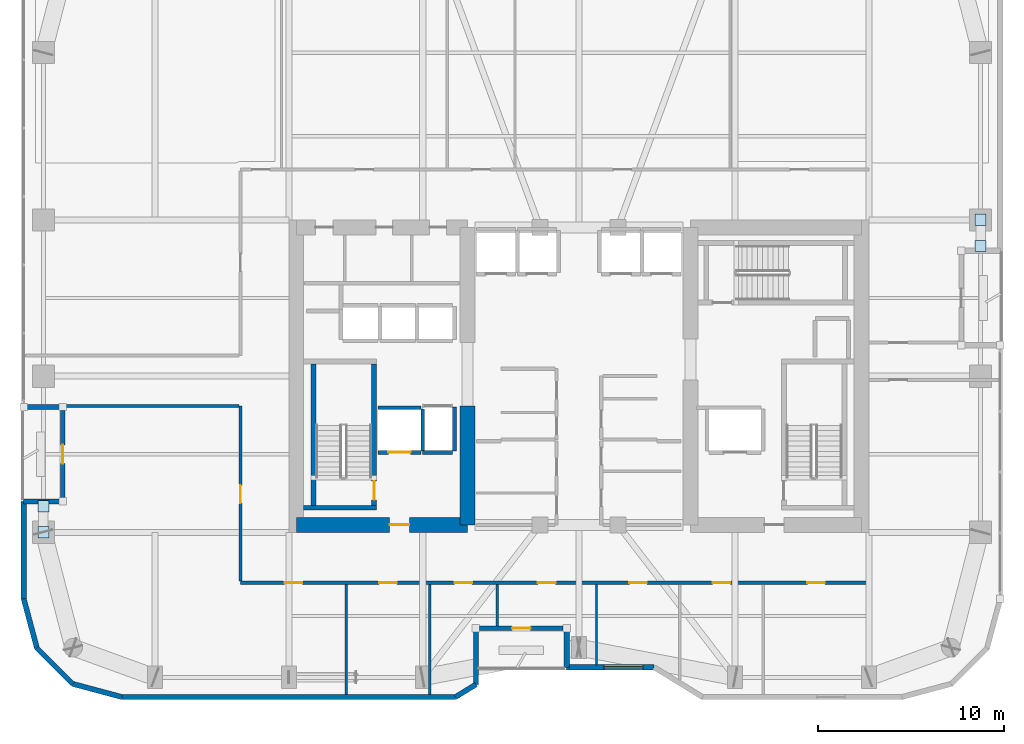
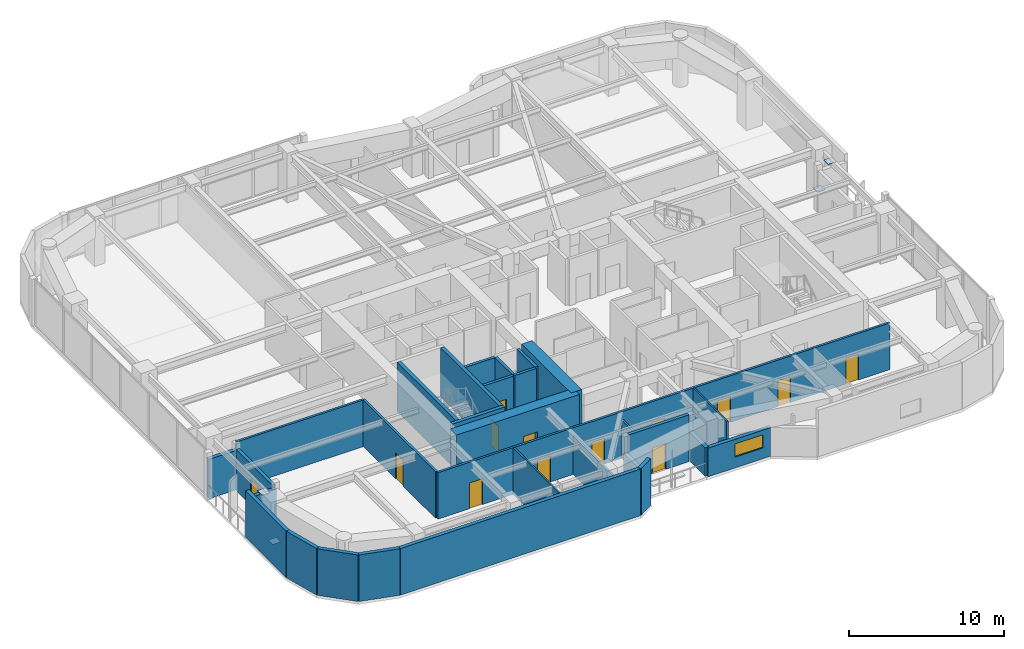
# One storey, part 24 of 30: 30 walls, 13 doors, 4 plates, 1 window, 14 openings.
"""IFC4 building model written with IfcOpenShell, lengths in metres."""

from ifc_helpers import new_model, si_unit, direction, frame, frame_2d, origin, origin_2d, place, context, subcontext, project, spatial, rectangle, extrude, material, layer, layer_set, type_object, element, fill, save


model = new_model("IFC4")

# Units and contexts
model_context = context("Model", 3, precision=1e-05, world=origin(), true_north=direction((0.0, 1.0)))
body_context = subcontext(model_context, "Body", "Model", "MODEL_VIEW")
ifc_project = project(units=[si_unit("LENGTHUNIT", "METRE"), si_unit("AREAUNIT", "SQUARE_METRE"), si_unit("VOLUMEUNIT", "CUBIC_METRE"), si_unit("PLANEANGLEUNIT", "RADIAN"), si_unit("MASSUNIT", "GRAM", prefix="KILO")], contexts=[model_context])

# Site, building, storey
site_placement = place(None, origin())
site = spatial("IfcSite", under=ifc_project, at=site_placement, CompositionType="ELEMENT")
building_placement = place(site_placement, origin())
building = spatial("IfcBuilding", under=site, at=building_placement, Name="Kiyonajd Concourse Tower", CompositionType="ELEMENT")
storey_placement = place(building_placement, frame((0.0, 0.0, 162.300048828125)))
storey = spatial("IfcBuildingStorey", under=building, at=storey_placement, Name="L41", CompositionType="ELEMENT", Elevation=162.300048828125)

# Plates
ifc_material_1 = material(Name="Steel ASTM A572 Grade 50", Category="steel")
ifc_layer_1 = layer(ifc_material_1, 0.028076171875)
ifc_layer_set_1 = layer_set([ifc_layer_1], Name="Steel ASTM A572 Grade 50")
plate_type = type_object("IfcPlateType", Name="PL-CAP-450", PredefinedType="USERDEFINED", material=ifc_layer_set_1)
for number, where, z_axis, x_axis, name in (
    (1, (19.199951171875, 27.595458984375, 0.27587890625), (0.0, 0.0, 1.0), (1.0, 0.0, 0.0), "L41 Hollow Brace End Cap Plate PBW"),
    (2, (19.199951171875, 29.004638671875, 3.32568359375), (0.0, 0.0, 1.0), (1.0, 0.0, 0.0), "L41 Hollow Brace Top Cap Plate PBW"),
    (3, (69.60009765625, 44.404541015625, 0.27587890625), (0.0, 0.0, 1.0), (1.0, 0.0, 0.0), "L41 Hollow Brace End Cap Plate PBE"),
    (4, (69.60009765625, 42.995361328125, 3.32568359375), (0.0, 0.0, 1.0), (1.0, 0.0, 0.0), "L41 Hollow Brace Top Cap Plate PBE"),
):
    element("IfcPlate", number, at=place(storey_placement, frame(where, z_axis=z_axis, x_axis=x_axis)), inside=storey, type_object=plate_type, Name=name, ObjectType="CAP PLATE", PredefinedType="USERDEFINED", context=body_context, shape_type="SweptSolid", body=[
        extrude(rectangle(XDim=0.60791015625, YDim=0.60791015625, at=origin_2d()), origin(), (0.0, 0.0, 1.0), 0.028076171875),
    ])

# Wall
ifc_material_2 = material(Name="Concrete C70/85", Category="concrete")
ifc_layer_2 = layer(ifc_material_2, 0.800048828125)
ifc_layer_set_2 = layer_set([ifc_layer_2], Name="Concrete C70/85")
wall_type_1 = type_object("IfcWallType", Name="WL-CORE-800", PredefinedType="SHEAR", material=ifc_layer_set_2)
wall_1_placement = place(storey_placement, frame((42.0, 28.0, 0.0), z_axis=(0.0, 0.0, 1.0), x_axis=(0.0, 1.0, 0.0)))
element("IfcWall", 5, at=wall_1_placement, inside=storey, type_object=wall_type_1, Name="L41 West Core Inner South Shear Wall", PredefinedType="SHEAR", context=body_context, shape_type="SweptSolid", body=[
    extrude(rectangle(XDim=6.39990234375, YDim=0.800048828125, at=frame_2d((3.199951171875, 0.0))), origin(), (0.0, 0.0, 1.0), 3.89990234375),
])

# Wall, opening, door
wall_2_placement = place(storey_placement, frame((32.800048828125, 28.0, 0.0), z_axis=(0.0, 0.0, 1.0), x_axis=(1.0, 0.0, 0.0)))
wall_2 = element("IfcWall", 6, at=wall_2_placement, inside=storey, type_object=wall_type_1, Name="L41 West Core South Shear Wall", PredefinedType="SHEAR", context=body_context, shape_type="SweptSolid", body=[
    extrude(rectangle(XDim=9.199951171875, YDim=0.800048828125, at=frame_2d((4.60009765625, 0.0))), origin(), (0.0, 0.0, 1.0), 3.89990234375),
])
opening_1_placement = place(wall_2_placement, frame((5.02490234375, 0.0, 0.0)))
opening_1 = element("IfcOpeningElement", 7, at=opening_1_placement, cuts=wall_2, Name="Opening DF5", PredefinedType="OPENING", context=body_context, shape_type="SweptSolid", body=[
    extrude(rectangle(XDim=1.050048828125, YDim=2.0400390625, at=frame_2d((0.52490234375, 1.02001953125))), frame((0.0, 0.409912109375, 0.0), z_axis=(0.0, -1.0, 0.0), x_axis=(1.0, 0.0, 0.0)), (0.0, 0.0, 1.0), 0.820068359375),
])
ifc_material_3 = material(Name="Brushed Stainless Steel Cab Assembly", Category="steel")
door_type_1 = type_object("IfcDoorType", Name="DR-FD45-1050", OperationType="NOTDEFINED", PredefinedType="DOOR", material=ifc_material_3)
door_1_placement = place(opening_1_placement, origin())
door_1 = element("IfcDoor", 8, at=door_1_placement, inside=storey, type_object=door_type_1, Name="L41 Firefighting Lift Lobby W Smoke Door", OperationType="SINGLE_SWING_LEFT", OverallHeight=2.0400390625, OverallWidth=1.050048828125, PredefinedType="DOOR", context=body_context, shape_type="SweptSolid", body=[
    extrude(rectangle(XDim=1.050048828125, YDim=2.0400390625, at=frame_2d((0.52490234375, 1.02001953125))), frame((0.0, 0.02490234375, 0.0), z_axis=(0.0, -1.0, 0.0), x_axis=(1.0, 0.0, 0.0)), (0.0, 0.0, 1.0), 0.050048828125),
])
fill(opening_1, door_1)

# Walls
ifc_material_4 = material(Name="Precast concrete C50/60", Category="concrete")
ifc_layer_3 = layer(ifc_material_4, 0.280029296875)
ifc_layer_set_3 = layer_set([ifc_layer_3], Name="Precast concrete C50/60")
wall_type_2 = type_object("IfcWallType", Name="WL-EXT-280", PredefinedType="SOLIDWALL", material=ifc_layer_set_3)
wall_3_placement = place(storey_placement, frame((18.848388671875, 21.37255859375, 0.0), z_axis=(0.0, 0.0, 1.0), x_axis=(-0.258672222976, 0.9659651552, 0.0)))
element("IfcWall", 9, at=wall_3_placement, inside=storey, type_object=wall_type_2, Name="L41 Exterior Concrete Frame Wall 00", PredefinedType="SOLIDWALL", context=body_context, shape_type="SweptSolid", body=[
    extrude(rectangle(XDim=2.739013671875, YDim=0.280029296875, at=frame_2d((1.36962890625, 0.0))), origin(), (0.0, 0.0, 1.0), 3.679931640625),
])
wall_4_placement = place(storey_placement, frame((18.139892578125, 24.018310546875, 0.0), z_axis=(0.0, 0.0, 1.0), x_axis=(0.0, 1.0, 0.0)))
element("IfcWall", 10, at=wall_4_placement, inside=storey, type_object=wall_type_2, Name="L41 Exterior Concrete Frame Wall 01", PredefinedType="SOLIDWALL", context=body_context, shape_type="SweptSolid", body=[
    extrude(rectangle(XDim=5.24169921875, YDim=0.280029296875, at=frame_2d((2.620849609375, 0.0))), origin(), (0.0, 0.0, 1.0), 3.679931640625),
])
for number, where, z_axis, x_axis, name in (
    (11, (18.139892578125, 29.260009765625, 0.0), (0.0, 0.0, 1.0), (1.0, 0.0, 0.0), "L41 Exterior Concrete Frame Wall 02"),
    (12, (20.239990234375, 34.340087890625, 0.0), (0.0, 0.0, 1.0), (-1.0, 0.0, 0.0), "L41 Exterior Concrete Frame Wall 04"),
):
    element("IfcWall", number, at=place(storey_placement, frame(where, z_axis=z_axis, x_axis=x_axis)), inside=storey, type_object=wall_type_2, Name=name, PredefinedType="SOLIDWALL", context=body_context, shape_type="SweptSolid", body=[
        extrude(rectangle(XDim=2.10009765625, YDim=0.280029296875, at=frame_2d((1.050048828125, 0.0))), origin(), (0.0, 0.0, 1.0), 3.115966796875),
    ])

# Wall, opening, window
wall_5_placement = place(storey_placement, frame((52.03955078125, 20.340087890625, 0.0), z_axis=(0.0, 0.0, 1.0), x_axis=(-1.0, 0.0, 0.0)))
wall_5 = element("IfcWall", 13, at=wall_5_placement, inside=storey, type_object=wall_type_2, Name="L41 Exterior Concrete Frame Wall 30", PredefinedType="SOLIDWALL", context=body_context, shape_type="SweptSolid", body=[
    extrude(rectangle(XDim=4.699462890625, YDim=0.280029296875, at=frame_2d((2.349609375, 0.0))), origin(), (0.0, 0.0, 1.0), 2.264892578125),
])
opening_2_placement = place(wall_5_placement, frame((0.594970703125, 0.0, 0.85009765625)))
opening_2 = element("IfcOpeningElement", 14, at=opening_2_placement, cuts=wall_5, Name="Opening WN5", PredefinedType="OPENING", context=body_context, shape_type="SweptSolid", body=[
    extrude(rectangle(XDim=2.10009765625, YDim=1.050048828125, at=frame_2d((1.050048828125, 0.52490234375))), frame((0.0, 0.14990234375, 0.0), z_axis=(0.0, -1.0, 0.0), x_axis=(1.0, 0.0, 0.0)), (0.0, 0.0, 1.0), 0.300048828125),
])
ifc_material_5 = material(Name="Double Low-E Insulated Glass", Category="glass")
window_type = type_object("IfcWindowType", Name="WN-VIS-2100x1050", PartitioningType="SINGLE_PANEL", PredefinedType="WINDOW", material=ifc_material_5)
window_placement = place(opening_2_placement, origin())
window = element("IfcWindow", 15, at=window_placement, inside=storey, type_object=window_type, Name="L41 Modular Facade Vision Window 30", OverallHeight=1.050048828125, OverallWidth=2.10009765625, PartitioningType="SINGLE_PANEL", PredefinedType="WINDOW", context=body_context, shape_type="SweptSolid", body=[
    extrude(rectangle(XDim=2.10009765625, YDim=1.050048828125, at=frame_2d((1.050048828125, 0.52490234375))), frame((0.0, 0.030029296875, 0.0), z_axis=(0.0, -1.0, 0.0), x_axis=(1.0, 0.0, 0.0)), (0.0, 0.0, 1.0), 0.06005859375),
])
fill(opening_2, window)

# Walls
wall_6_placement = place(storey_placement, frame((47.340087890625, 20.340087890625, 0.0), z_axis=(0.0, 0.0, 1.0), x_axis=(0.0, 1.0, 0.0)))
element("IfcWall", 16, at=wall_6_placement, inside=storey, type_object=wall_type_2, Name="L41 Exterior Concrete Frame Wall 31", PredefinedType="SOLIDWALL", context=body_context, shape_type="SweptSolid", body=[
    extrude(rectangle(XDim=2.099853515625, YDim=0.280029296875, at=frame_2d((1.0498046875, 0.0))), origin(), (0.0, 0.0, 1.0), 2.264892578125),
])
wall_7_placement = place(storey_placement, frame((42.4599609375, 22.43994140625, 0.0), z_axis=(0.0, 0.0, 1.0), x_axis=(0.0, -1.0, 0.0)))
element("IfcWall", 17, at=wall_7_placement, inside=storey, type_object=wall_type_2, Name="L41 Exterior Concrete Frame Wall 33", PredefinedType="SOLIDWALL", context=body_context, shape_type="SweptSolid", body=[
    extrude(rectangle(XDim=3.023681640625, YDim=0.280029296875, at=frame_2d((1.51171875, 0.0))), origin(), (0.0, 0.0, 1.0), 2.264892578125),
])
wall_8_placement = place(storey_placement, frame((42.4599609375, 19.416259765625, 0.0), z_axis=(0.0, 0.0, 1.0), x_axis=(-0.851801140441, -0.523865266212, 0.0)))
element("IfcWall", 18, at=wall_8_placement, inside=storey, type_object=wall_type_2, Name="L41 Exterior Concrete Frame Wall 34", PredefinedType="SOLIDWALL", context=body_context, shape_type="SweptSolid", body=[
    extrude(rectangle(XDim=1.291015625, YDim=0.280029296875, at=frame_2d((0.6455078125, 0.0))), origin(), (0.0, 0.0, 1.0), 3.679931640625),
])
wall_9_placement = place(storey_placement, frame((41.3603515625, 18.739990234375, 0.0), z_axis=(0.0, 0.0, 1.0), x_axis=(-1.0, 0.0, 0.0)))
element("IfcWall", 19, at=wall_9_placement, inside=storey, type_object=wall_type_2, Name="L41 Exterior Concrete Frame Wall 35", PredefinedType="SOLIDWALL", context=body_context, shape_type="SweptSolid", body=[
    extrude(rectangle(XDim=17.94189453125, YDim=0.280029296875, at=frame_2d((8.970947265625, 0.0))), origin(), (0.0, 0.0, 1.0), 3.679931640625),
])
wall_10_placement = place(storey_placement, frame((23.41845703125, 18.739990234375, 0.0), z_axis=(0.0, 0.0, 1.0), x_axis=(-0.965971118627, 0.258649952598, 0.0)))
element("IfcWall", 20, at=wall_10_placement, inside=storey, type_object=wall_type_2, Name="L41 Exterior Concrete Frame Wall 36", PredefinedType="SOLIDWALL", context=body_context, shape_type="SweptSolid", body=[
    extrude(rectangle(XDim=2.7392578125, YDim=0.280029296875, at=frame_2d((1.36962890625, 0.0))), origin(), (0.0, 0.0, 1.0), 3.679931640625),
])
wall_11_placement = place(storey_placement, frame((20.7724609375, 19.448486328125, 0.0), z_axis=(0.0, 0.0, 1.0), x_axis=(-0.707106781187, 0.707106781187, 0.0)))
element("IfcWall", 21, at=wall_11_placement, inside=storey, type_object=wall_type_2, Name="L41 Exterior Concrete Frame Wall 37", PredefinedType="SOLIDWALL", context=body_context, shape_type="SweptSolid", body=[
    extrude(rectangle(XDim=2.720947265625, YDim=0.280029296875, at=frame_2d((1.3603515625, 0.0))), origin(), (0.0, 0.0, 1.0), 3.679931640625),
])

# Wall, opening, door
ifc_layer_4 = layer(ifc_material_4, 0.239990234375)
ifc_layer_set_4 = layer_set([ifc_layer_4], Name="Precast concrete C50/60")
wall_type_3 = type_object("IfcWallType", Name="WL-LOG-240", PredefinedType="SOLIDWALL", material=ifc_layer_set_4)
wall_12_placement = place(storey_placement, frame((20.239990234375, 29.455078125, 0.0), z_axis=(0.0, 0.0, 1.0), x_axis=(0.0, 1.0, 0.0)))
wall_12 = element("IfcWall", 22, at=wall_12_placement, inside=storey, type_object=wall_type_3, Name="L41 Recessed Loggia Thermal Wall LOG-W", PredefinedType="SOLIDWALL", context=body_context, shape_type="SweptSolid", body=[
    extrude(rectangle(XDim=4.68994140625, YDim=0.239990234375, at=frame_2d((2.344970703125, 0.0))), origin(), (0.0, 0.0, 1.0), 3.248046875),
])
opening_3_placement = place(wall_12_placement, frame((1.844970703125, 0.0, 0.0)))
opening_3 = element("IfcOpeningElement", 23, at=opening_3_placement, cuts=wall_12, Name="Opening DL1", PredefinedType="OPENING", context=body_context, shape_type="SweptSolid", body=[
    extrude(rectangle(XDim=1.0, YDim=2.02001953125, at=frame_2d((0.5, 1.010009765625))), frame((0.0, 0.1298828125, 0.0), z_axis=(0.0, -1.0, 0.0), x_axis=(1.0, 0.0, 0.0)), (0.0, 0.0, 1.0), 0.260009765625),
])
ifc_material_6 = material(Name="Thermally Broken Anodised Aluminium", Category="aluminium")
door_type_2 = type_object("IfcDoorType", Name="DR-LOG-1000", OperationType="NOTDEFINED", PredefinedType="DOOR", material=ifc_material_6)
door_2_placement = place(opening_3_placement, origin())
door_2 = element("IfcDoor", 24, at=door_2_placement, inside=storey, type_object=door_type_2, Name="L41 Engawa Loggia Access Door LOG-W", OperationType="SINGLE_SWING_LEFT", OverallHeight=2.02001953125, OverallWidth=1.0, PredefinedType="DOOR", context=body_context, shape_type="SweptSolid", body=[
    extrude(rectangle(XDim=1.0, YDim=2.02001953125, at=frame_2d((0.5, 1.010009765625))), frame((0.0, 0.02490234375, 0.0), z_axis=(0.0, -1.0, 0.0), x_axis=(1.0, 0.0, 0.0)), (0.0, 0.0, 1.0), 0.050048828125),
])
fill(opening_3, door_2)

wall_13_placement = place(storey_placement, frame((47.14501953125, 22.43994140625, 0.0), z_axis=(0.0, 0.0, 1.0), x_axis=(-1.0, 0.0, 0.0)))
wall_13 = element("IfcWall", 25, at=wall_13_placement, inside=storey, type_object=wall_type_3, Name="L41 Recessed Loggia Thermal Wall LOG-S", PredefinedType="SOLIDWALL", context=body_context, shape_type="SweptSolid", body=[
    extrude(rectangle(XDim=4.489990234375, YDim=0.239990234375, at=frame_2d((2.2451171875, 0.0))), origin(), (0.0, 0.0, 1.0), 3.679931640625),
])
opening_4_placement = place(wall_13_placement, frame((1.7451171875, 0.0, 0.0)))
opening_4 = element("IfcOpeningElement", 26, at=opening_4_placement, cuts=wall_13, Name="Opening DL1", PredefinedType="OPENING", context=body_context, shape_type="SweptSolid", body=[
    extrude(rectangle(XDim=1.0, YDim=2.02001953125, at=frame_2d((0.5, 1.010009765625))), frame((0.0, 0.1298828125, 0.0), z_axis=(0.0, -1.0, 0.0), x_axis=(1.0, 0.0, 0.0)), (0.0, 0.0, 1.0), 0.260009765625),
])
door_3_placement = place(opening_4_placement, origin())
door_3 = element("IfcDoor", 27, at=door_3_placement, inside=storey, type_object=door_type_2, Name="L41 Engawa Loggia Access Door LOG-S", OperationType="SINGLE_SWING_RIGHT", OverallHeight=2.02001953125, OverallWidth=1.0, PredefinedType="DOOR", context=body_context, shape_type="SweptSolid", body=[
    extrude(rectangle(XDim=1.0, YDim=2.02001953125, at=frame_2d((0.5, 1.010009765625))), frame((0.0, 0.02490234375, 0.0), z_axis=(0.0, -1.0, 0.0), x_axis=(1.0, 0.0, 0.0)), (0.0, 0.0, 1.0), 0.050048828125),
])
fill(opening_4, door_3)

# Walls
ifc_material_7 = material(Name="Gypsum Board on Cold-Formed Steel Stud", Category="steel")
ifc_layer_5 = layer(ifc_material_7, 0.125)
ifc_layer_set_5 = layer_set([ifc_layer_5], Name="Gypsum Board on Cold-Formed Steel Stud")
wall_type_4 = type_object("IfcWallType", Name="WL-PART-125", PredefinedType="PARTITIONING", material=ifc_layer_set_5)
wall_14_placement = place(storey_placement, frame((35.489990234375, 18.875, 0.0), z_axis=(0.0, 0.0, 1.0), x_axis=(0.0, 1.0, 0.0)))
element("IfcWall", 28, at=wall_14_placement, inside=storey, type_object=wall_type_4, Name="L41 Interior Partition Wall", PredefinedType="PARTITIONING", context=body_context, shape_type="SweptSolid", body=[
    extrude(rectangle(XDim=5.927978515625, YDim=0.125, at=frame_2d((2.9638671875, 0.0))), origin(), (0.0, 0.0, 1.0), 3.679931640625),
])
wall_15_placement = place(storey_placement, frame((39.969970703125, 18.875, 0.0), z_axis=(0.0, 0.0, 1.0), x_axis=(0.0, 1.0, 0.0)))
element("IfcWall", 29, at=wall_15_placement, inside=storey, type_object=wall_type_4, Name="L41 Interior Partition Wall", PredefinedType="PARTITIONING", context=body_context, shape_type="SweptSolid", body=[
    extrude(rectangle(XDim=5.927978515625, YDim=0.125, at=frame_2d((2.9638671875, 0.0))), origin(), (0.0, 0.0, 1.0), 3.04296875),
])
wall_16_placement = place(storey_placement, frame((43.60009765625, 22.554931640625, 0.0), z_axis=(0.0, 0.0, 1.0), x_axis=(0.0, 1.0, 0.0)))
element("IfcWall", 30, at=wall_16_placement, inside=storey, type_object=wall_type_4, Name="L41 Interior Partition Wall", PredefinedType="PARTITIONING", context=body_context, shape_type="SweptSolid", body=[
    extrude(rectangle(XDim=2.248046875, YDim=0.125, at=frame_2d((1.1240234375, 0.0))), origin(), (0.0, 0.0, 1.0), 3.04296875),
])
wall_17_placement = place(storey_placement, frame((48.93994140625, 20.47509765625, 0.0), z_axis=(0.0, 0.0, 1.0), x_axis=(0.0, 1.0, 0.0)))
element("IfcWall", 31, at=wall_17_placement, inside=storey, type_object=wall_type_4, Name="L41 Interior Partition Wall", PredefinedType="PARTITIONING", context=body_context, shape_type="SweptSolid", body=[
    extrude(rectangle(XDim=4.327880859375, YDim=0.125, at=frame_2d((2.1640625, 0.0))), origin(), (0.0, 0.0, 1.0), 3.679931640625),
])

# Wall, opening, door
ifc_layer_6 = layer(ifc_material_7, 0.2099609375)
ifc_layer_set_6 = layer_set([ifc_layer_6], Name="Gypsum Board on Cold-Formed Steel Stud")
wall_type_5 = type_object("IfcWallType", Name="WL-SHAFT-210", PredefinedType="PARTITIONING", material=ifc_layer_set_6)
wall_18_placement = place(storey_placement, frame((37.199951171875, 31.89990234375, 0.0), z_axis=(0.0, 0.0, 1.0), x_axis=(1.0, 0.0, 0.0)))
wall_18 = element("IfcWall", 32, at=wall_18_placement, inside=storey, type_object=wall_type_5, Name="L41 Shaft Enclosure Wall", PredefinedType="PARTITIONING", context=body_context, shape_type="SweptSolid", body=[
    extrude(rectangle(XDim=2.300048828125, YDim=0.2099609375, at=frame_2d((1.14990234375, 0.0))), origin(), (0.0, 0.0, 1.0), 3.679931640625),
])
opening_5_placement = place(wall_18_placement, frame((0.550048828125, 0.0, 0.0)))
opening_5 = element("IfcOpeningElement", 33, at=opening_5_placement, cuts=wall_18, Name="Opening LD2", PredefinedType="OPENING", context=body_context, shape_type="SweptSolid", body=[
    extrude(rectangle(XDim=1.199951171875, YDim=2.0400390625, at=frame_2d((0.60009765625, 1.02001953125))), frame((0.0, 0.114990234375, 0.0), z_axis=(0.0, -1.0, 0.0), x_axis=(1.0, 0.0, 0.0)), (0.0, 0.0, 1.0), 0.22998046875),
])
door_type_3 = type_object("IfcDoorType", Name="DR-LD-1200", OperationType="DOUBLE_DOOR_SLIDING", PredefinedType="DOOR", material=ifc_material_3)
door_4_placement = place(opening_5_placement, origin())
door_4 = element("IfcDoor", 34, at=door_4_placement, inside=storey, type_object=door_type_3, Name="L41 Lift FFL1 Sliding Landing Door", OperationType="DOUBLE_DOOR_SLIDING", OverallHeight=2.0400390625, OverallWidth=1.199951171875, PredefinedType="DOOR", context=body_context, shape_type="SweptSolid", body=[
    extrude(rectangle(XDim=1.199951171875, YDim=2.0400390625, at=frame_2d((0.60009765625, 1.02001953125))), frame((0.0, 0.02490234375, 0.0), z_axis=(0.0, -1.0, 0.0), x_axis=(1.0, 0.0, 0.0)), (0.0, 0.0, 1.0), 0.050048828125),
])
fill(opening_5, door_4)

# Walls
wall_19_placement = place(storey_placement, frame((37.199951171875, 34.300048828125, 0.0), z_axis=(0.0, 0.0, 1.0), x_axis=(1.0, 0.0, 0.0)))
element("IfcWall", 35, at=wall_19_placement, inside=storey, type_object=wall_type_5, Name="L41 Shaft Enclosure Wall", PredefinedType="PARTITIONING", context=body_context, shape_type="SweptSolid", body=[
    extrude(rectangle(XDim=2.300048828125, YDim=0.2099609375, at=frame_2d((1.14990234375, 0.0))), origin(), (0.0, 0.0, 1.0), 3.679931640625),
])
wall_20_placement = place(storey_placement, frame((39.60009765625, 31.9599609375, 0.0), z_axis=(0.0, 0.0, 1.0), x_axis=(0.0, 1.0, 0.0)))
element("IfcWall", 36, at=wall_20_placement, inside=storey, type_object=wall_type_5, Name="L41 Shaft Enclosure Wall", PredefinedType="PARTITIONING", context=body_context, shape_type="SweptSolid", body=[
    extrude(rectangle(XDim=2.280029296875, YDim=0.2099609375, at=frame_2d((1.14013671875, 0.0))), origin(), (0.0, 0.0, 1.0), 3.679931640625),
])
wall_21_placement = place(storey_placement, frame((39.60009765625, 31.89990234375, 0.0), z_axis=(0.0, 0.0, 1.0), x_axis=(1.0, 0.0, 0.0)))
element("IfcWall", 37, at=wall_21_placement, inside=storey, type_object=wall_type_5, Name="L41 Shaft Enclosure Wall", PredefinedType="PARTITIONING", context=body_context, shape_type="SweptSolid", body=[
    extrude(rectangle(XDim=1.599853515625, YDim=0.2099609375, at=frame_2d((0.7998046875, 0.0))), origin(), (0.0, 0.0, 1.0), 3.679931640625),
])
wall_22_placement = place(storey_placement, frame((41.300048828125, 31.9599609375, 0.0), z_axis=(0.0, 0.0, 1.0), x_axis=(0.0, 1.0, 0.0)))
element("IfcWall", 38, at=wall_22_placement, inside=storey, type_object=wall_type_5, Name="L41 Shaft Enclosure Wall", PredefinedType="PARTITIONING", context=body_context, shape_type="SweptSolid", body=[
    extrude(rectangle(XDim=2.380126953125, YDim=0.2099609375, at=frame_2d((1.18994140625, 0.0))), origin(), (0.0, 0.0, 1.0), 3.679931640625),
])

# Wall, openings, doors
ifc_layer_7 = layer(ifc_material_7, 0.169921875)
ifc_layer_set_7 = layer_set([ifc_layer_7], Name="Gypsum Board on Cold-Formed Steel Stud")
wall_type_6 = type_object("IfcWallType", Name="WL-SMK-170", PredefinedType="PARTITIONING", material=ifc_layer_set_7)
wall_23_placement = place(storey_placement, frame((29.800048828125, 24.889892578125, 0.0), z_axis=(0.0, 0.0, 1.0), x_axis=(1.0, 0.0, 0.0)))
wall_23 = element("IfcWall", 39, at=wall_23_placement, inside=storey, type_object=wall_type_6, Name="L41 Interior Partition Wall", PredefinedType="PARTITIONING", context=body_context, shape_type="SweptSolid", body=[
    extrude(rectangle(XDim=33.800048828125, YDim=0.169921875, at=frame_2d((16.89990234375, 0.0))), origin(), (0.0, 0.0, 1.0), 3.679931640625),
])
opening_6_placement = place(wall_23_placement, frame((2.3701171875, 0.0, 0.0)))
opening_6 = element("IfcOpeningElement", 40, at=opening_6_placement, cuts=wall_23, Name="Opening DI1", PredefinedType="OPENING", context=body_context, shape_type="SweptSolid", body=[
    extrude(rectangle(XDim=0.949951171875, YDim=2.0400390625, at=frame_2d((0.47509765625, 1.02001953125))), frame((0.0, 0.094970703125, 0.0), z_axis=(0.0, -1.0, 0.0), x_axis=(1.0, 0.0, 0.0)), (0.0, 0.0, 1.0), 0.18994140625),
])
opening_7_placement = place(wall_23_placement, frame((7.455078125, 0.0, 0.0)))
opening_7 = element("IfcOpeningElement", 41, at=opening_7_placement, cuts=wall_23, Name="Opening DI1", PredefinedType="OPENING", context=body_context, shape_type="SweptSolid", body=[
    extrude(rectangle(XDim=0.949951171875, YDim=2.0400390625, at=frame_2d((0.47509765625, 1.02001953125))), frame((0.0, 0.094970703125, 0.0), z_axis=(0.0, -1.0, 0.0), x_axis=(1.0, 0.0, 0.0)), (0.0, 0.0, 1.0), 0.18994140625),
])
opening_8_placement = place(wall_23_placement, frame((11.510009765625, 0.0, 0.0)))
opening_8 = element("IfcOpeningElement", 42, at=opening_8_placement, cuts=wall_23, Name="Opening DI1", PredefinedType="OPENING", context=body_context, shape_type="SweptSolid", body=[
    extrude(rectangle(XDim=0.949951171875, YDim=2.0400390625, at=frame_2d((0.47509765625, 1.02001953125))), frame((0.0, 0.094970703125, 0.0), z_axis=(0.0, -1.0, 0.0), x_axis=(1.0, 0.0, 0.0)), (0.0, 0.0, 1.0), 0.18994140625),
])
opening_9_placement = place(wall_23_placement, frame((15.9951171875, 0.0, 0.0)))
opening_9 = element("IfcOpeningElement", 43, at=opening_9_placement, cuts=wall_23, Name="Opening DI1", PredefinedType="OPENING", context=body_context, shape_type="SweptSolid", body=[
    extrude(rectangle(XDim=0.949951171875, YDim=2.0400390625, at=frame_2d((0.47509765625, 1.02001953125))), frame((0.0, 0.094970703125, 0.0), z_axis=(0.0, -1.0, 0.0), x_axis=(1.0, 0.0, 0.0)), (0.0, 0.0, 1.0), 0.18994140625),
])
opening_10_placement = place(wall_23_placement, frame((20.909912109375, 0.0, 0.0)))
opening_10 = element("IfcOpeningElement", 44, at=opening_10_placement, cuts=wall_23, Name="Opening DI1", PredefinedType="OPENING", context=body_context, shape_type="SweptSolid", body=[
    extrude(rectangle(XDim=0.949951171875, YDim=2.0400390625, at=frame_2d((0.47509765625, 1.02001953125))), frame((0.0, 0.094970703125, 0.0), z_axis=(0.0, -1.0, 0.0), x_axis=(1.0, 0.0, 0.0)), (0.0, 0.0, 1.0), 0.18994140625),
])
opening_11_placement = place(wall_23_placement, frame((25.39501953125, 0.0, 0.0)))
opening_11 = element("IfcOpeningElement", 45, at=opening_11_placement, cuts=wall_23, Name="Opening DI1", PredefinedType="OPENING", context=body_context, shape_type="SweptSolid", body=[
    extrude(rectangle(XDim=0.949951171875, YDim=2.0400390625, at=frame_2d((0.47509765625, 1.02001953125))), frame((0.0, 0.094970703125, 0.0), z_axis=(0.0, -1.0, 0.0), x_axis=(1.0, 0.0, 0.0)), (0.0, 0.0, 1.0), 0.18994140625),
])
opening_12_placement = place(wall_23_placement, frame((30.47998046875, 0.0, 0.0)))
opening_12 = element("IfcOpeningElement", 46, at=opening_12_placement, cuts=wall_23, Name="Opening DI1", PredefinedType="OPENING", context=body_context, shape_type="SweptSolid", body=[
    extrude(rectangle(XDim=0.949951171875, YDim=2.0400390625, at=frame_2d((0.47509765625, 1.02001953125))), frame((0.0, 0.094970703125, 0.0), z_axis=(0.0, -1.0, 0.0), x_axis=(1.0, 0.0, 0.0)), (0.0, 0.0, 1.0), 0.18994140625),
])
ifc_material_8 = material(Name="Natural Oak Acoustic Timber Veneer", Category="wood")
door_type_4 = type_object("IfcDoorType", Name="DR-INT-950", OperationType="NOTDEFINED", PredefinedType="DOOR", material=ifc_material_8)
door_5_placement = place(opening_6_placement, origin())
door_5 = element("IfcDoor", 47, at=door_5_placement, inside=storey, type_object=door_type_4, Name="L41 Interior Door", OperationType="SINGLE_SWING_RIGHT", OverallHeight=2.0400390625, OverallWidth=0.949951171875, PredefinedType="DOOR", context=body_context, shape_type="SweptSolid", body=[
    extrude(rectangle(XDim=0.949951171875, YDim=2.0400390625, at=frame_2d((0.47509765625, 1.02001953125))), frame((0.0, 0.02490234375, 0.0), z_axis=(0.0, -1.0, 0.0), x_axis=(1.0, 0.0, 0.0)), (0.0, 0.0, 1.0), 0.050048828125),
])
fill(opening_6, door_5)
door_6_placement = place(opening_7_placement, origin())
door_6 = element("IfcDoor", 48, at=door_6_placement, inside=storey, type_object=door_type_4, Name="L41 Interior Door", OperationType="SINGLE_SWING_LEFT", OverallHeight=2.0400390625, OverallWidth=0.949951171875, PredefinedType="DOOR", context=body_context, shape_type="SweptSolid", body=[
    extrude(rectangle(XDim=0.949951171875, YDim=2.0400390625, at=frame_2d((0.47509765625, 1.02001953125))), frame((0.0, 0.02490234375, 0.0), z_axis=(0.0, -1.0, 0.0), x_axis=(1.0, 0.0, 0.0)), (0.0, 0.0, 1.0), 0.050048828125),
])
fill(opening_7, door_6)
door_7_placement = place(opening_8_placement, origin())
door_7 = element("IfcDoor", 49, at=door_7_placement, inside=storey, type_object=door_type_4, Name="L41 Interior Door", OperationType="SINGLE_SWING_RIGHT", OverallHeight=2.0400390625, OverallWidth=0.949951171875, PredefinedType="DOOR", context=body_context, shape_type="SweptSolid", body=[
    extrude(rectangle(XDim=0.949951171875, YDim=2.0400390625, at=frame_2d((0.47509765625, 1.02001953125))), frame((0.0, 0.02490234375, 0.0), z_axis=(0.0, -1.0, 0.0), x_axis=(1.0, 0.0, 0.0)), (0.0, 0.0, 1.0), 0.050048828125),
])
fill(opening_8, door_7)
door_8_placement = place(opening_9_placement, origin())
door_8 = element("IfcDoor", 50, at=door_8_placement, inside=storey, type_object=door_type_4, Name="L41 Interior Door", OperationType="SINGLE_SWING_LEFT", OverallHeight=2.0400390625, OverallWidth=0.949951171875, PredefinedType="DOOR", context=body_context, shape_type="SweptSolid", body=[
    extrude(rectangle(XDim=0.949951171875, YDim=2.0400390625, at=frame_2d((0.47509765625, 1.02001953125))), frame((0.0, 0.02490234375, 0.0), z_axis=(0.0, -1.0, 0.0), x_axis=(1.0, 0.0, 0.0)), (0.0, 0.0, 1.0), 0.050048828125),
])
fill(opening_9, door_8)
door_9_placement = place(opening_10_placement, origin())
door_9 = element("IfcDoor", 51, at=door_9_placement, inside=storey, type_object=door_type_4, Name="L41 Interior Door", OperationType="SINGLE_SWING_RIGHT", OverallHeight=2.0400390625, OverallWidth=0.949951171875, PredefinedType="DOOR", context=body_context, shape_type="SweptSolid", body=[
    extrude(rectangle(XDim=0.949951171875, YDim=2.0400390625, at=frame_2d((0.47509765625, 1.02001953125))), frame((0.0, 0.02490234375, 0.0), z_axis=(0.0, -1.0, 0.0), x_axis=(1.0, 0.0, 0.0)), (0.0, 0.0, 1.0), 0.050048828125),
])
fill(opening_10, door_9)
door_10_placement = place(opening_11_placement, origin())
door_10 = element("IfcDoor", 52, at=door_10_placement, inside=storey, type_object=door_type_4, Name="L41 Interior Door", OperationType="SINGLE_SWING_LEFT", OverallHeight=2.0400390625, OverallWidth=0.949951171875, PredefinedType="DOOR", context=body_context, shape_type="SweptSolid", body=[
    extrude(rectangle(XDim=0.949951171875, YDim=2.0400390625, at=frame_2d((0.47509765625, 1.02001953125))), frame((0.0, 0.02490234375, 0.0), z_axis=(0.0, -1.0, 0.0), x_axis=(1.0, 0.0, 0.0)), (0.0, 0.0, 1.0), 0.050048828125),
])
fill(opening_11, door_10)
door_11_placement = place(opening_12_placement, origin())
door_11 = element("IfcDoor", 53, at=door_11_placement, inside=storey, type_object=door_type_4, Name="L41 Interior Door", OperationType="SINGLE_SWING_RIGHT", OverallHeight=2.0400390625, OverallWidth=0.949951171875, PredefinedType="DOOR", context=body_context, shape_type="SweptSolid", body=[
    extrude(rectangle(XDim=0.949951171875, YDim=2.0400390625, at=frame_2d((0.47509765625, 1.02001953125))), frame((0.0, 0.02490234375, 0.0), z_axis=(0.0, -1.0, 0.0), x_axis=(1.0, 0.0, 0.0)), (0.0, 0.0, 1.0), 0.050048828125),
])
fill(opening_12, door_11)

# Wall, opening, door
wall_24_placement = place(storey_placement, frame((29.800048828125, 24.97705078125, 0.0), z_axis=(0.0, 0.0, 1.0), x_axis=(0.0, 1.0, 0.0)))
wall_24 = element("IfcWall", 54, at=wall_24_placement, inside=storey, type_object=wall_type_6, Name="L41 Interior Partition Wall", PredefinedType="PARTITIONING", context=body_context, shape_type="SweptSolid", body=[
    extrude(rectangle(XDim=9.4228515625, YDim=0.169921875, at=frame_2d((4.71142578125, 0.0))), origin(), (0.0, 0.0, 1.0), 3.679931640625),
])
opening_13_placement = place(wall_24_placement, frame((4.193115234375, 0.0, 0.0)))
opening_13 = element("IfcOpeningElement", 55, at=opening_13_placement, cuts=wall_24, Name="Opening DI1", PredefinedType="OPENING", context=body_context, shape_type="SweptSolid", body=[
    extrude(rectangle(XDim=0.949951171875, YDim=2.0400390625, at=frame_2d((0.47509765625, 1.02001953125))), frame((0.0, 0.094970703125, 0.0), z_axis=(0.0, -1.0, 0.0), x_axis=(1.0, 0.0, 0.0)), (0.0, 0.0, 1.0), 0.18994140625),
])
door_12_placement = place(opening_13_placement, origin())
door_12 = element("IfcDoor", 56, at=door_12_placement, inside=storey, type_object=door_type_4, Name="L41 Interior Door", OperationType="SINGLE_SWING_RIGHT", OverallHeight=2.0400390625, OverallWidth=0.949951171875, PredefinedType="DOOR", context=body_context, shape_type="SweptSolid", body=[
    extrude(rectangle(XDim=0.949951171875, YDim=2.0400390625, at=frame_2d((0.47509765625, 1.02001953125))), frame((0.0, 0.02490234375, 0.0), z_axis=(0.0, -1.0, 0.0), x_axis=(1.0, 0.0, 0.0)), (0.0, 0.0, 1.0), 0.050048828125),
])
fill(opening_13, door_12)

# Walls
wall_25_placement = place(storey_placement, frame((20.239990234375, 34.39990234375, 0.0), z_axis=(0.0, 0.0, 1.0), x_axis=(1.0, 0.0, 0.0)))
element("IfcWall", 57, at=wall_25_placement, inside=storey, type_object=wall_type_6, Name="L41 Interior Partition Wall", PredefinedType="PARTITIONING", context=body_context, shape_type="SweptSolid", body=[
    extrude(rectangle(XDim=9.472900390625, YDim=0.169921875, at=frame_2d((4.736328125, 0.0))), origin(), (0.0, 0.0, 1.0), 3.679931640625),
])
ifc_material_9 = material(Name="Concrete C50/60", Category="concrete")
ifc_layer_8 = layer(ifc_material_9, 0.260009765625)
ifc_layer_set_8 = layer_set([ifc_layer_8], Name="Concrete C50/60")
wall_type_7 = type_object("IfcWallType", Name="WL-STAIR-260", PredefinedType="SHEAR", material=ifc_layer_set_8)
wall_26_placement = place(storey_placement, frame((33.199951171875, 28.919921875, 0.0), z_axis=(0.0, 0.0, 1.0), x_axis=(1.0, 0.0, 0.0)))
element("IfcWall", 58, at=wall_26_placement, inside=storey, type_object=wall_type_7, Name="L41 Stair ST1 Structural South Wall", PredefinedType="SHEAR", context=body_context, shape_type="SweptSolid", body=[
    extrude(rectangle(XDim=3.91015625, YDim=0.260009765625, at=frame_2d((1.955078125, 0.0))), origin(), (0.0, 0.0, 1.0), 3.89990234375),
])
wall_27_placement = place(storey_placement, frame((33.719970703125, 29.050048828125, 0.0), z_axis=(0.0, 0.0, 1.0), x_axis=(0.0, 1.0, 0.0)))
element("IfcWall", 59, at=wall_27_placement, inside=storey, type_object=wall_type_7, Name="L41 Stair ST1 Structural West Wall", PredefinedType="SHEAR", context=body_context, shape_type="SweptSolid", body=[
    extrude(rectangle(XDim=7.599853515625, YDim=0.260009765625, at=frame_2d((3.7998046875, 0.0))), origin(), (0.0, 0.0, 1.0), 3.89990234375),
])

# Wall, opening, door
wall_28_placement = place(storey_placement, frame((36.97998046875, 29.050048828125, 0.0), z_axis=(0.0, 0.0, 1.0), x_axis=(0.0, 1.0, 0.0)))
wall_28 = element("IfcWall", 60, at=wall_28_placement, inside=storey, type_object=wall_type_7, Name="L41 Stair ST1 Structural East Wall", PredefinedType="SHEAR", context=body_context, shape_type="SweptSolid", body=[
    extrude(rectangle(XDim=7.599853515625, YDim=0.260009765625, at=frame_2d((3.7998046875, 0.0))), origin(), (0.0, 0.0, 1.0), 3.89990234375),
])
opening_14_placement = place(wall_28_placement, frame((0.300048828125, 0.0, 0.0)))
opening_14 = element("IfcOpeningElement", 61, at=opening_14_placement, cuts=wall_28, Name="Opening DF1", PredefinedType="OPENING", context=body_context, shape_type="SweptSolid", body=[
    extrude(rectangle(XDim=1.0, YDim=2.0400390625, at=frame_2d((0.5, 1.02001953125))), frame((0.0, 0.139892578125, 0.0), z_axis=(0.0, -1.0, 0.0), x_axis=(1.0, 0.0, 0.0)), (0.0, 0.0, 1.0), 0.280029296875),
])
door_type_5 = type_object("IfcDoorType", Name="DR-FD90-1000", OperationType="NOTDEFINED", PredefinedType="DOOR", material=ifc_material_3)
door_13_placement = place(opening_14_placement, origin())
door_13 = element("IfcDoor", 62, at=door_13_placement, inside=storey, type_object=door_type_5, Name="L41 Stair ST1 FSAE Door", OperationType="SINGLE_SWING_LEFT", OverallHeight=2.0400390625, OverallWidth=1.0, PredefinedType="DOOR", context=body_context, shape_type="SweptSolid", body=[
    extrude(rectangle(XDim=1.0, YDim=2.0400390625, at=frame_2d((0.5, 1.02001953125))), frame((0.0, 0.02490234375, 0.0), z_axis=(0.0, -1.0, 0.0), x_axis=(1.0, 0.0, 0.0)), (0.0, 0.0, 1.0), 0.050048828125),
])
fill(opening_14, door_13)

save(model, "model.ifc")
